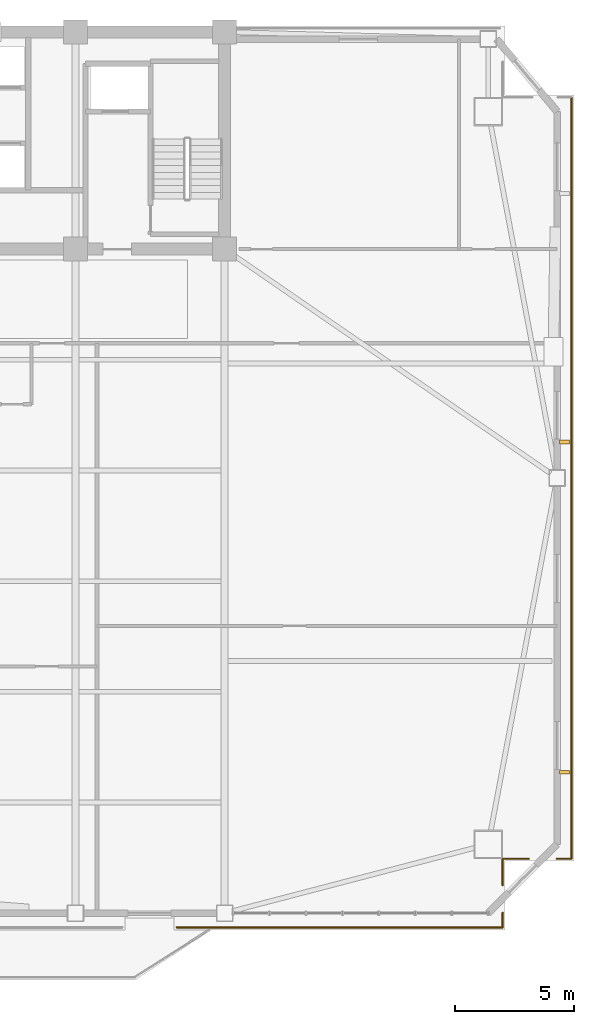
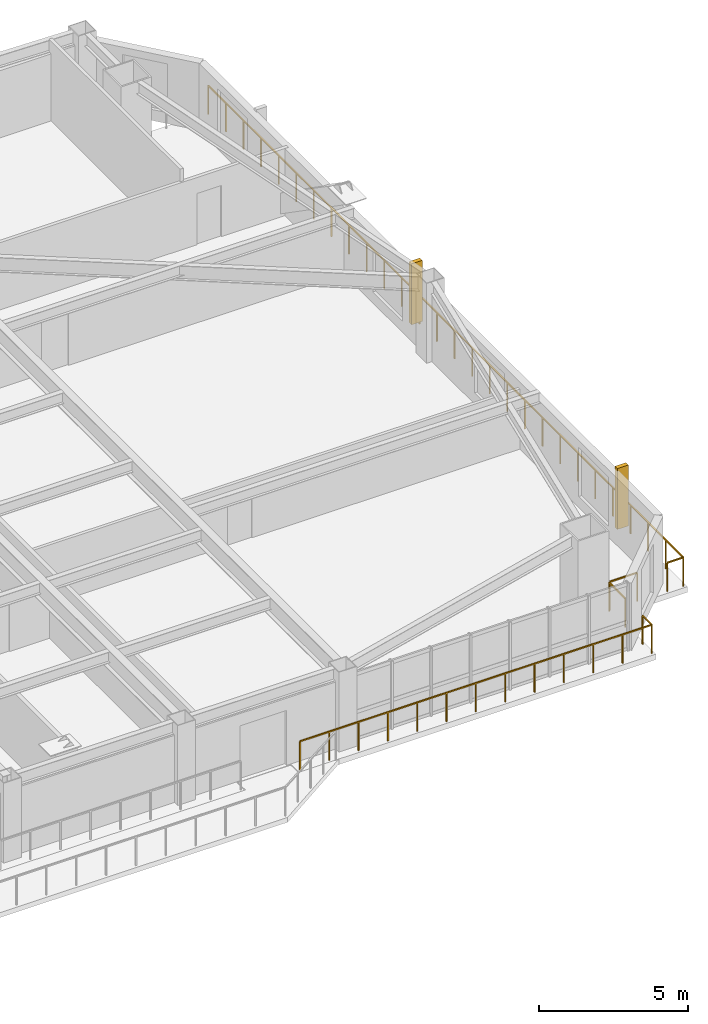
# One storey, part 13 of 15: 6 railings, 2 shading devices.
"""IFC4 building model written with IfcOpenShell, lengths in metres."""

import ifcopenshell
import ifcopenshell.guid

model = None  # the IFC model being written
_history = None  # IfcOwnerHistory: only IFC2X3 demands one
_inside = {}  # id of a spatial element -> (the spatial element, [elements in it])
_under = {}  # id of a project, library or spatial element -> (it, [spatial elements below it])
_declared = {}  # id of a project -> (the project, [libraries it declares])
_typed = {}  # id of a type object -> (the type object, [elements of that type])
_made_of = {}  # id of a material, layer set ... -> (it, [elements and type objects made of it])


def new_model(schema):
    """Start an empty IFC model of exactly this schema.

    Asked for "IFC4X3", IfcOpenShell would pick the latest addendum, in which some entities
    have other attributes; the version numbers below select the first issue.
    IFC2X3 requires an IfcOwnerHistory on every rooted entity: one is made here for all.
    """
    global model, _history
    if schema == "IFC4X3":
        model = ifcopenshell.file(schema_version=(4, 3, 0, 0))
    else:
        model = ifcopenshell.file(schema=schema)
    _inside.clear()
    _under.clear()
    _declared.clear()
    _typed.clear()
    _made_of.clear()
    _history = None
    if model.schema == "IFC2X3":
        org = make("IfcOrganization", Name="unknown")
        user = make(
            "IfcPersonAndOrganization",
            ThePerson=make("IfcPerson", FamilyName="unknown"),
            TheOrganization=org,
        )
        app = make(
            "IfcApplication",
            ApplicationDeveloper=org,
            Version="unknown",
            ApplicationFullName="unknown",
            ApplicationIdentifier="unknown",
        )
        _history = make(
            "IfcOwnerHistory",
            OwningUser=user,
            OwningApplication=app,
            ChangeAction="ADDED",
            CreationDate=0,
        )
    return model


def make(cls, **values):
    """One entity of the class cls with the attributes given. An attribute that is None is left unset."""
    return model.create_entity(
        cls, **{name: value for name, value in values.items() if value is not None}
    )


def rooted(cls, **values):
    """An entity with a GlobalId (a new one), such as an element, a storey or a relation."""
    return make(cls, GlobalId=ifcopenshell.guid.new(), OwnerHistory=_history, **values)


def si_unit(unit_type, name, prefix=None):
    """IfcSIUnit, for example si_unit("LENGTHUNIT", "METRE", prefix="MILLI")."""
    return make("IfcSIUnit", UnitType=unit_type, Prefix=prefix, Name=name)


def assignment(units):
    """IfcUnitAssignment: the units of a project."""
    return None if units is None else make("IfcUnitAssignment", Units=units)


def point(xyz):
    """IfcCartesianPoint."""
    return None if xyz is None else make("IfcCartesianPoint", Coordinates=xyz)


def direction(xyz):
    """IfcDirection."""
    return None if xyz is None else make("IfcDirection", DirectionRatios=xyz)


def frame(location, z_axis=None, x_axis=None):
    """IfcAxis2Placement3D, a coordinate frame: its origin and axes. An axis left out is left unset."""
    return make(
        "IfcAxis2Placement3D",
        Location=point(location),
        Axis=direction(z_axis),
        RefDirection=direction(x_axis),
    )


def frame_2d(location, x_axis=None):
    """IfcAxis2Placement2D, a coordinate frame in the plane: its origin and x axis."""
    return make(
        "IfcAxis2Placement2D", Location=point(location), RefDirection=direction(x_axis)
    )


def origin():
    """The frame at (0, 0, 0) with its axes left unset."""
    return frame((0.0, 0.0, 0.0))


def origin_2d():
    """The frame at (0, 0) in the plane with its x axis left unset."""
    return frame_2d((0.0, 0.0))


def place(relative_to, where):
    """IfcLocalPlacement: puts the frame where relative to a parent placement (None: the world)."""
    return make(
        "IfcLocalPlacement", PlacementRelTo=relative_to, RelativePlacement=where
    )


def context(
    kind, dimensions, precision=None, world=None, true_north=None, identifier=None
):
    """IfcGeometricRepresentationContext, for example the 3D "Model" context."""
    return make(
        "IfcGeometricRepresentationContext",
        ContextIdentifier=identifier,
        ContextType=kind,
        CoordinateSpaceDimension=dimensions,
        Precision=precision,
        WorldCoordinateSystem=world,
        TrueNorth=true_north,
    )


def subcontext(parent, identifier, kind, view, scale=None):
    """IfcGeometricRepresentationSubContext, for example "Body" below "Model"."""
    return make(
        "IfcGeometricRepresentationSubContext",
        ContextIdentifier=identifier,
        ContextType=kind,
        ParentContext=parent,
        TargetScale=scale,
        TargetView=view,
    )


def project(units=None, contexts=None):
    """IfcProject with its units and contexts."""
    return rooted(
        "IfcProject",
        Name="project",
        RepresentationContexts=contexts,
        UnitsInContext=assignment(units),
    )


def spatial(cls, under=None, at=None, **own):
    """A site, building, storey or space (cls), placed at a placement, below another one or the project."""
    s = rooted(cls, ObjectPlacement=at, **own)
    if under is not None:
        _under.setdefault(under.id(), (under, []))[1].append(s)
    return s


def profile(cls, at=None, kind="AREA", **sizes):
    """A parametric profile (cls). Its sizes go by their IFC names, for example OverallWidth=200.0."""
    return make(cls, ProfileType=kind, Position=at, **sizes)


def rectangle(**sizes):
    """IfcRectangleProfileDef."""
    return profile("IfcRectangleProfileDef", **sizes)


def extrude(swept, where, along, depth):
    """IfcExtrudedAreaSolid: the profile swept, set in the frame where, extruded along a direction by depth."""
    return make(
        "IfcExtrudedAreaSolid",
        SweptArea=swept,
        Position=where,
        ExtrudedDirection=direction(along),
        Depth=depth,
    )


def shape(context_of_items, identifier, shape_type, items):
    """IfcShapeRepresentation: the items that make up one representation, for example the "Body"."""
    return make(
        "IfcShapeRepresentation",
        ContextOfItems=context_of_items,
        RepresentationIdentifier=identifier,
        RepresentationType=shape_type,
        Items=items,
    )


def source(mapping_origin, context_of_items, identifier, shape_type, items):
    """IfcRepresentationMap: a shape defined once, which mapped items show again and again."""
    return make(
        "IfcRepresentationMap",
        MappingOrigin=mapping_origin,
        MappedRepresentation=shape(context_of_items, identifier, shape_type, items),
    )


def transform(
    local_origin,
    x_axis=None,
    y_axis=None,
    z_axis=None,
    scale=None,
    scale2=None,
    scale3=None,
    uniform=True,
):
    """IfcCartesianTransformationOperator3D, or its non-uniform kind. x_axis, y_axis, z_axis: its Axis1, 2, 3."""
    if uniform:
        return make(
            "IfcCartesianTransformationOperator3D",
            Axis1=direction(x_axis),
            Axis2=direction(y_axis),
            LocalOrigin=point(local_origin),
            Scale=scale,
            Axis3=direction(z_axis),
        )
    return make(
        "IfcCartesianTransformationOperator3DnonUniform",
        Axis1=direction(x_axis),
        Axis2=direction(y_axis),
        LocalOrigin=point(local_origin),
        Scale=scale,
        Axis3=direction(z_axis),
        Scale2=scale2,
        Scale3=scale3,
    )


def mapped(mapping_source, mapping_target):
    """IfcMappedItem: shows the shape of a source again, moved by a transform."""
    return make(
        "IfcMappedItem", MappingSource=mapping_source, MappingTarget=mapping_target
    )


def material(Name=None, Category=None):
    """IfcMaterial."""
    return make("IfcMaterial", Name=Name, Category=Category)


def made_of(thing, what):
    """Note that an element or type object is made of a material, layer set ...; save() writes the relation."""
    if what is not None:
        _made_of.setdefault(what.id(), (what, []))[1].append(thing)
    return thing


def type_object(cls, material=None, **own):
    """A type object (cls), such as IfcWallType, which elements share."""
    return made_of(rooted(cls, **own), material)


def element(
    cls,
    number,
    at=None,
    inside=None,
    cuts=None,
    type_object=None,
    material=None,
    context=None,
    identifier="Body",
    shape_type=None,
    held_by="IfcProductDefinitionShape",
    body=None,
    shapes=None,
    **own,
):
    """One element of the class cls, such as IfcWall. Its Tag is "e" and its number.

    at: its placement. inside: the storey or other place that contains it. cuts: it is an
    opening in that element (IfcRelVoidsElement). A single representation is given by context,
    identifier, shape_type and body (its items); several are given by shapes. held_by: the class
    of the entity that holds the representations. save() writes the other relations.
    """
    e = rooted(cls, Tag="e%d" % number, ObjectPlacement=at, **own)
    if body is not None:
        shapes = [shape(context, identifier, shape_type, body)]
    if shapes is not None:
        e.Representation = make(held_by, Representations=shapes)
    if inside is not None:
        _inside.setdefault(inside.id(), (inside, []))[1].append(e)
    if cuts is not None:
        rooted(
            "IfcRelVoidsElement", RelatingBuildingElement=cuts, RelatedOpeningElement=e
        )
    if type_object is not None:
        _typed.setdefault(type_object.id(), (type_object, []))[1].append(e)
    return made_of(e, material)


def aggregate(whole, parts):
    """IfcRelAggregates: a whole, such as a stair, and the parts it consists of."""
    return rooted("IfcRelAggregates", RelatingObject=whole, RelatedObjects=parts)


def save(model, path):
    """Write the relations noted so far, then the file.

    IfcRelAggregates (storeys below a building ...), IfcRelContainedInSpatialStructure (elements
    in a storey), IfcRelDefinesByType, IfcRelAssociatesMaterial and IfcRelDeclares: one each for
    every whole, place, type object, material and project.
    """
    for whole, parts in _under.values():
        aggregate(whole, parts)
    for where, things in _inside.values():
        rooted(
            "IfcRelContainedInSpatialStructure",
            RelatedElements=things,
            RelatingStructure=where,
        )
    for kind, things in _typed.values():
        rooted("IfcRelDefinesByType", RelatedObjects=things, RelatingType=kind)
    for what, things in _made_of.values():
        rooted("IfcRelAssociatesMaterial", RelatedObjects=things, RelatingMaterial=what)
    for by, libraries in _declared.values():
        rooted("IfcRelDeclares", RelatingContext=by, RelatedDefinitions=libraries)
    model.write(path)


model = new_model("IFC4")

# Units and contexts
model_context = context("Model", 3, precision=1e-05, world=origin(), true_north=direction((0.0, 1.0)))
body_context = subcontext(model_context, "Body", "Model", "MODEL_VIEW")
ifc_project = project(units=[si_unit("LENGTHUNIT", "METRE"), si_unit("AREAUNIT", "SQUARE_METRE"), si_unit("VOLUMEUNIT", "CUBIC_METRE"), si_unit("PLANEANGLEUNIT", "RADIAN"), si_unit("MASSUNIT", "GRAM", prefix="KILO")], contexts=[model_context])

# Site, building, storey
site_placement = place(None, origin())
site = spatial("IfcSite", under=ifc_project, at=site_placement, CompositionType="ELEMENT")
building_placement = place(site_placement, origin())
building = spatial("IfcBuilding", under=site, at=building_placement, Name="Giltprow Tower", CompositionType="ELEMENT")
storey_placement = place(building_placement, frame((0.0, 0.0, 173.699951171875)))
storey = spatial("IfcBuildingStorey", under=building, at=storey_placement, Name="L43", CompositionType="ELEMENT", Elevation=173.699951171875)

# Railings
ifc_material = material(Name="Anodized bronze", Category="metal")
railing_type = type_object("IfcRailingType", Name="RAIL-BALC-GUARD-1200", PredefinedType="BALUSTRADE", material=ifc_material)
railing_1_placement = place(storey_placement, frame((65.0810546875, 43.81298828125, 0.0)))
element("IfcRailing", 1, at=railing_1_placement, inside=storey, type_object=railing_type, Name="L43 Corner Apron Edge Balustrade 14", PredefinedType="BALUSTRADE", context=body_context, shape_type="SweptSolid", body=[
    extrude(rectangle(XDim=0.048095703125, YDim=0.048095703125, at=origin_2d()), frame((0.0, 0.0, 1.17578125), z_axis=(0.0, -1.0, 0.0), x_axis=(1.0, 0.0, 0.0)), (0.0, 0.0, 1.0), 31.89990234375),
    extrude(rectangle(XDim=0.0419921875, YDim=0.0419921875, at=origin_2d()), origin(), (0.0, 0.0, 1.0), 1.15185546875),
    extrude(rectangle(XDim=0.0419921875, YDim=0.0419921875, at=origin_2d()), frame((0.0, -1.181396484375, 0.0)), (0.0, 0.0, 1.0), 1.15185546875),
    extrude(rectangle(XDim=0.0419921875, YDim=0.0419921875, at=origin_2d()), frame((0.0, -2.363037109375, 0.0)), (0.0, 0.0, 1.0), 1.15185546875),
    extrude(rectangle(XDim=0.0419921875, YDim=0.0419921875, at=origin_2d()), frame((0.0, -3.54443359375, 0.0)), (0.0, 0.0, 1.0), 1.15185546875),
    extrude(rectangle(XDim=0.0419921875, YDim=0.0419921875, at=origin_2d()), frame((0.0, -4.725830078125, 0.0)), (0.0, 0.0, 1.0), 1.15185546875),
    extrude(rectangle(XDim=0.0419921875, YDim=0.0419921875, at=origin_2d()), frame((0.0, -5.907470703125, 0.0)), (0.0, 0.0, 1.0), 1.15185546875),
    extrude(rectangle(XDim=0.0419921875, YDim=0.0419921875, at=origin_2d()), frame((0.0, -7.0888671875, 0.0)), (0.0, 0.0, 1.0), 1.15185546875),
    extrude(rectangle(XDim=0.0419921875, YDim=0.0419921875, at=origin_2d()), frame((0.0, -8.270263671875, 0.0)), (0.0, 0.0, 1.0), 1.15185546875),
    extrude(rectangle(XDim=0.0419921875, YDim=0.0419921875, at=origin_2d()), frame((0.0, -9.451904296875, 0.0)), (0.0, 0.0, 1.0), 1.15185546875),
    extrude(rectangle(XDim=0.0419921875, YDim=0.0419921875, at=origin_2d()), frame((0.0, -10.63330078125, 0.0)), (0.0, 0.0, 1.0), 1.15185546875),
    extrude(rectangle(XDim=0.0419921875, YDim=0.0419921875, at=origin_2d()), frame((0.0, -11.814697265625, 0.0)), (0.0, 0.0, 1.0), 1.15185546875),
    extrude(rectangle(XDim=0.0419921875, YDim=0.0419921875, at=origin_2d()), frame((0.0, -12.996337890625, 0.0)), (0.0, 0.0, 1.0), 1.15185546875),
    extrude(rectangle(XDim=0.0419921875, YDim=0.0419921875, at=origin_2d()), frame((0.0, -14.177734375, 0.0)), (0.0, 0.0, 1.0), 1.15185546875),
    extrude(rectangle(XDim=0.0419921875, YDim=0.0419921875, at=origin_2d()), frame((0.0, -15.359130859375, 0.0)), (0.0, 0.0, 1.0), 1.15185546875),
    extrude(rectangle(XDim=0.0419921875, YDim=0.0419921875, at=origin_2d()), frame((0.0, -16.540771484375, 0.0)), (0.0, 0.0, 1.0), 1.15185546875),
    extrude(rectangle(XDim=0.0419921875, YDim=0.0419921875, at=origin_2d()), frame((0.0, -17.72216796875, 0.0)), (0.0, 0.0, 1.0), 1.15185546875),
    extrude(rectangle(XDim=0.0419921875, YDim=0.0419921875, at=origin_2d()), frame((0.0, -18.903564453125, 0.0)), (0.0, 0.0, 1.0), 1.15185546875),
    extrude(rectangle(XDim=0.0419921875, YDim=0.0419921875, at=origin_2d()), frame((0.0, -20.085205078125, 0.0)), (0.0, 0.0, 1.0), 1.15185546875),
    extrude(rectangle(XDim=0.0419921875, YDim=0.0419921875, at=origin_2d()), frame((0.0, -21.2666015625, 0.0)), (0.0, 0.0, 1.0), 1.15185546875),
    extrude(rectangle(XDim=0.0419921875, YDim=0.0419921875, at=origin_2d()), frame((0.0, -22.447998046875, 0.0)), (0.0, 0.0, 1.0), 1.15185546875),
    extrude(rectangle(XDim=0.0419921875, YDim=0.0419921875, at=origin_2d()), frame((0.0, -23.629638671875, 0.0)), (0.0, 0.0, 1.0), 1.15185546875),
    extrude(rectangle(XDim=0.0419921875, YDim=0.0419921875, at=origin_2d()), frame((0.0, -24.81103515625, 0.0)), (0.0, 0.0, 1.0), 1.15185546875),
    extrude(rectangle(XDim=0.0419921875, YDim=0.0419921875, at=origin_2d()), frame((0.0, -25.992431640625, 0.0)), (0.0, 0.0, 1.0), 1.15185546875),
    extrude(rectangle(XDim=0.0419921875, YDim=0.0419921875, at=origin_2d()), frame((0.0, -27.174072265625, 0.0)), (0.0, 0.0, 1.0), 1.15185546875),
    extrude(rectangle(XDim=0.0419921875, YDim=0.0419921875, at=origin_2d()), frame((0.0, -28.35546875, 0.0)), (0.0, 0.0, 1.0), 1.15185546875),
    extrude(rectangle(XDim=0.0419921875, YDim=0.0419921875, at=origin_2d()), frame((0.0, -29.536865234375, 0.0)), (0.0, 0.0, 1.0), 1.15185546875),
    extrude(rectangle(XDim=0.0419921875, YDim=0.0419921875, at=origin_2d()), frame((0.0, -30.718505859375, 0.0)), (0.0, 0.0, 1.0), 1.15185546875),
    extrude(rectangle(XDim=0.0419921875, YDim=0.0419921875, at=origin_2d()), frame((0.0, -31.89990234375, 0.0)), (0.0, 0.0, 1.0), 1.15185546875),
])
railing_2_placement = place(storey_placement, frame((65.0810546875, 11.9130859375, 0.0)))
element("IfcRailing", 2, at=railing_2_placement, inside=storey, type_object=railing_type, Name="L43 Corner Apron Edge Balustrade 15", PredefinedType="BALUSTRADE", context=body_context, shape_type="SweptSolid", body=[
    extrude(rectangle(XDim=0.048095703125, YDim=0.048095703125, at=origin_2d()), frame((0.0, 0.0, 1.17578125), z_axis=(-1.0, 0.0, 0.0), x_axis=(0.0, -1.0, 0.0)), (0.0, 0.0, 1.0), 0.6201171875),
    extrude(rectangle(XDim=0.0419921875, YDim=0.0419921875, at=origin_2d()), origin(), (0.0, 0.0, 1.0), 1.15185546875),
    extrude(rectangle(XDim=0.0419921875, YDim=0.0419921875, at=origin_2d()), frame((-0.6201171875, 0.0, 0.0)), (0.0, 0.0, 1.0), 1.15185546875),
])
railing_3_placement = place(storey_placement, frame((63.301025390625, 11.9130859375, 0.0)))
element("IfcRailing", 3, at=railing_3_placement, inside=storey, type_object=railing_type, Name="L43 Corner Apron Edge Balustrade 16", PredefinedType="BALUSTRADE", context=body_context, shape_type="SweptSolid", body=[
    extrude(rectangle(XDim=0.048095703125, YDim=0.048095703125, at=origin_2d()), frame((0.0, 0.0, 1.17578125), z_axis=(-1.0, 0.0, 0.0), x_axis=(0.0, -1.0, 0.0)), (0.0, 0.0, 1.0), 1.072021484375),
    extrude(rectangle(XDim=0.0419921875, YDim=0.0419921875, at=origin_2d()), origin(), (0.0, 0.0, 1.0), 1.15185546875),
    extrude(rectangle(XDim=0.0419921875, YDim=0.0419921875, at=origin_2d()), frame((-1.072021484375, 0.0, 0.0)), (0.0, 0.0, 1.0), 1.15185546875),
])
railing_4_placement = place(storey_placement, frame((62.194091796875, 11.8779296875, 0.0)))
element("IfcRailing", 4, at=railing_4_placement, inside=storey, type_object=railing_type, Name="L43 Corner Apron Edge Balustrade 17", PredefinedType="BALUSTRADE", context=body_context, shape_type="SweptSolid", body=[
    extrude(rectangle(XDim=0.048095703125, YDim=0.048095703125, at=origin_2d()), frame((0.0, 0.0, 1.17578125), z_axis=(0.0, -1.0, 0.0), x_axis=(1.0, 0.0, 0.0)), (0.0, 0.0, 1.0), 1.072021484375),
    extrude(rectangle(XDim=0.0419921875, YDim=0.0419921875, at=origin_2d()), origin(), (0.0, 0.0, 1.0), 1.15185546875),
    extrude(rectangle(XDim=0.0419921875, YDim=0.0419921875, at=origin_2d()), frame((0.0, -1.072021484375, 0.0)), (0.0, 0.0, 1.0), 1.15185546875),
])
railing_5_placement = place(storey_placement, frame((62.194091796875, 9.64599609375, 0.0)))
element("IfcRailing", 5, at=railing_5_placement, inside=storey, type_object=railing_type, Name="L43 Corner Apron Edge Balustrade 18", PredefinedType="BALUSTRADE", context=body_context, shape_type="SweptSolid", body=[
    extrude(rectangle(XDim=0.048095703125, YDim=0.048095703125, at=origin_2d()), frame((0.0, 0.0, 1.17578125), z_axis=(0.0, -1.0, 0.0), x_axis=(1.0, 0.0, 0.0)), (0.0, 0.0, 1.0), 0.6201171875),
    extrude(rectangle(XDim=0.0419921875, YDim=0.0419921875, at=origin_2d()), origin(), (0.0, 0.0, 1.0), 1.15185546875),
    extrude(rectangle(XDim=0.0419921875, YDim=0.0419921875, at=origin_2d()), frame((0.0, -0.6201171875, 0.0)), (0.0, 0.0, 1.0), 1.15185546875),
])
railing_6_placement = place(storey_placement, frame((62.194091796875, 9.02587890625, 0.0)))
element("IfcRailing", 6, at=railing_6_placement, inside=storey, type_object=railing_type, Name="L43 Corner Apron Edge Balustrade 19", PredefinedType="BALUSTRADE", context=body_context, shape_type="SweptSolid", body=[
    extrude(rectangle(XDim=0.048095703125, YDim=0.048095703125, at=origin_2d()), frame((0.0, 0.0, 1.17578125), z_axis=(-1.0, 0.0, 0.0), x_axis=(0.0, -1.0, 0.0)), (0.0, 0.0, 1.0), 13.64404296875),
    extrude(rectangle(XDim=0.0419921875, YDim=0.0419921875, at=origin_2d()), origin(), (0.0, 0.0, 1.0), 1.15185546875),
    extrude(rectangle(XDim=0.0419921875, YDim=0.0419921875, at=origin_2d()), frame((-1.136962890625, 0.0, 0.0)), (0.0, 0.0, 1.0), 1.15185546875),
    extrude(rectangle(XDim=0.0419921875, YDim=0.0419921875, at=origin_2d()), frame((-2.27392578125, 0.0, 0.0)), (0.0, 0.0, 1.0), 1.15185546875),
    extrude(rectangle(XDim=0.0419921875, YDim=0.0419921875, at=origin_2d()), frame((-3.4111328125, 0.0, 0.0)), (0.0, 0.0, 1.0), 1.15185546875),
    extrude(rectangle(XDim=0.0419921875, YDim=0.0419921875, at=origin_2d()), frame((-4.548095703125, 0.0, 0.0)), (0.0, 0.0, 1.0), 1.15185546875),
    extrude(rectangle(XDim=0.0419921875, YDim=0.0419921875, at=origin_2d()), frame((-5.68505859375, 0.0, 0.0)), (0.0, 0.0, 1.0), 1.15185546875),
    extrude(rectangle(XDim=0.0419921875, YDim=0.0419921875, at=origin_2d()), frame((-6.822021484375, 0.0, 0.0)), (0.0, 0.0, 1.0), 1.15185546875),
    extrude(rectangle(XDim=0.0419921875, YDim=0.0419921875, at=origin_2d()), frame((-7.958984375, 0.0, 0.0)), (0.0, 0.0, 1.0), 1.15185546875),
    extrude(rectangle(XDim=0.0419921875, YDim=0.0419921875, at=origin_2d()), frame((-9.095947265625, 0.0, 0.0)), (0.0, 0.0, 1.0), 1.15185546875),
    extrude(rectangle(XDim=0.0419921875, YDim=0.0419921875, at=origin_2d()), frame((-10.23291015625, 0.0, 0.0)), (0.0, 0.0, 1.0), 1.15185546875),
    extrude(rectangle(XDim=0.0419921875, YDim=0.0419921875, at=origin_2d()), frame((-11.3701171875, 0.0, 0.0)), (0.0, 0.0, 1.0), 1.15185546875),
    extrude(rectangle(XDim=0.0419921875, YDim=0.0419921875, at=origin_2d()), frame((-12.507080078125, 0.0, 0.0)), (0.0, 0.0, 1.0), 1.15185546875),
    extrude(rectangle(XDim=0.0419921875, YDim=0.0419921875, at=origin_2d()), frame((-13.64404296875, 0.0, 0.0)), (0.0, 0.0, 1.0), 1.15185546875),
])

# Shading devices
shading_device_type = type_object("IfcShadingDeviceType", Name="SHD-FIN-420", PredefinedType="USERDEFINED", material=ifc_material)
shared_shape = source(origin(), body_context, "Body", "SweptSolid", [
    extrude(rectangle(XDim=0.419921875, YDim=0.159912109375, at=origin_2d()), origin(), (0.0, 0.0, 1.0), 2.5),
])
for number, where, z_axis, x_axis, name in (
    (7, (64.781005859375, 15.532958984375, 0.35009765625), (0.0, 0.0, 1.0), (1.0, 0.0, 0.0), "L43 E Bronze Vertical Fin 1-1"),
    (8, (64.781005859375, 29.364013671875, 0.35009765625), (0.0, 0.0, 1.0), (1.0, 0.0, 0.0), "L43 E Bronze Vertical Fin 2-1"),
):
    element("IfcShadingDevice", number, at=place(storey_placement, frame(where, z_axis=z_axis, x_axis=x_axis)), inside=storey, type_object=shading_device_type, Name=name, ObjectType="FIN", PredefinedType="USERDEFINED", context=body_context, shape_type="MappedRepresentation", body=[
        mapped(shared_shape, transform((0.0, 0.0, 0.0), x_axis=(1.0, 0.0, 0.0), y_axis=(0.0, 1.0, 0.0), z_axis=(0.0, 0.0, 1.0), scale=1.0)),
    ])

save(model, "model.ifc")
